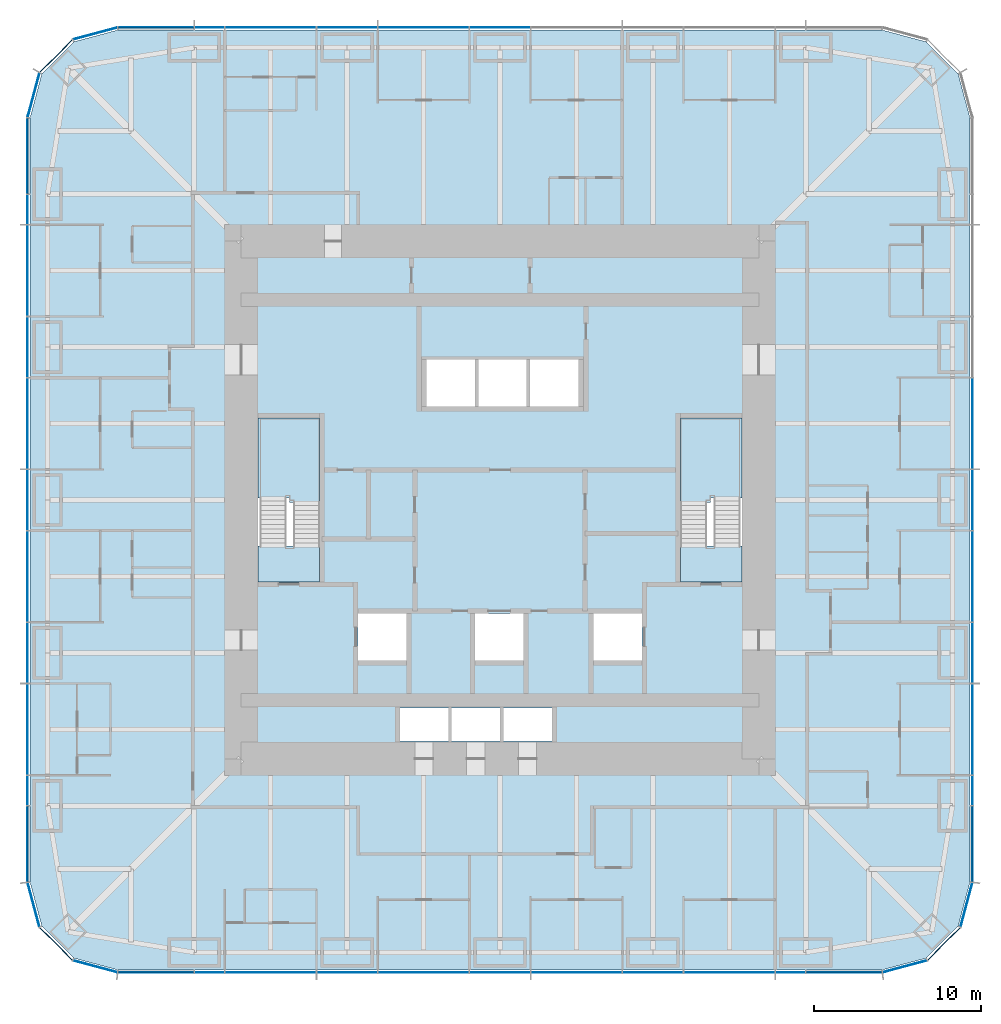
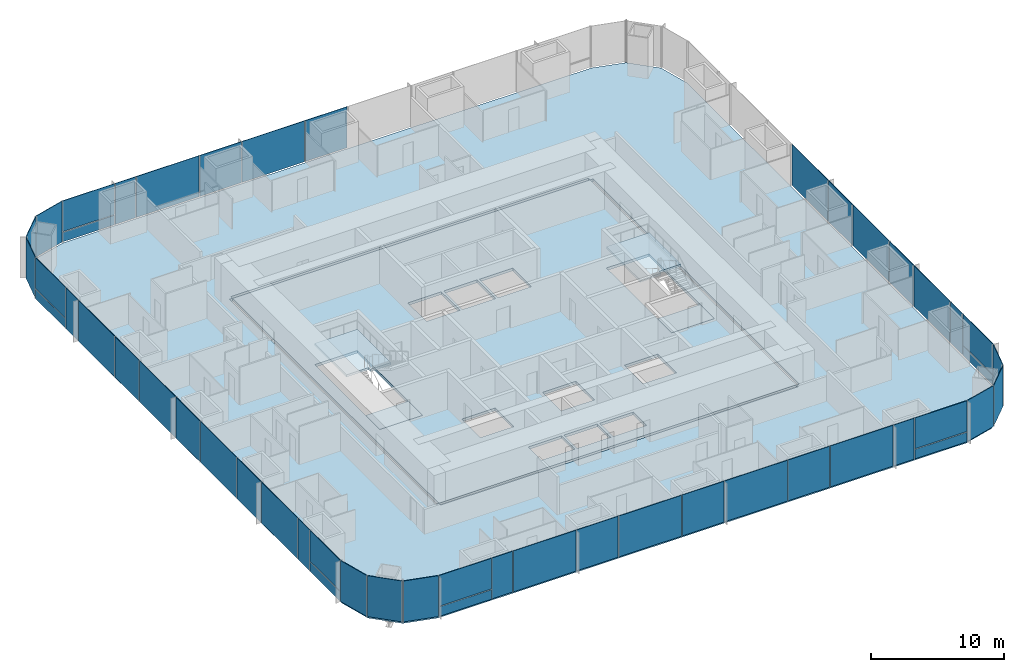
# One storey, part 6 of 12: 50 plates, 6 slabs, 9 elements without a shape of their own.
"""IFC4 building model written with IfcOpenShell, lengths in metres."""

from ifc_helpers import new_model, si_unit, direction, frame, origin, origin_2d, place, context, subcontext, project, spatial, polyline, rectangle, outline, extrude, material, layer, layer_set, type_object, element, aggregate, save


model = new_model("IFC4")

# Units and contexts
model_context = context("Model", 3, precision=1e-05, world=origin(), true_north=direction((0.0, 1.0)))
body_context = subcontext(model_context, "Body", "Model", "MODEL_VIEW")
ifc_project = project(units=[si_unit("LENGTHUNIT", "METRE"), si_unit("AREAUNIT", "SQUARE_METRE"), si_unit("VOLUMEUNIT", "CUBIC_METRE"), si_unit("PLANEANGLEUNIT", "RADIAN"), si_unit("MASSUNIT", "GRAM", prefix="KILO")], contexts=[model_context])

# Site, building, storey
site_placement = place(None, origin())
site = spatial("IfcSite", under=ifc_project, at=site_placement, CompositionType="ELEMENT")
building_placement = place(site_placement, origin())
building = spatial("IfcBuilding", under=site, at=building_placement, Name="Khuree Lantern Residences", CompositionType="ELEMENT")
storey_placement = place(building_placement, frame((0.0, 0.0, 178.5)))
storey = spatial("IfcBuildingStorey", under=building, at=storey_placement, Name="L45", CompositionType="ELEMENT", Elevation=178.5)

# Slab
ifc_material_1 = material(Name="Concrete C35/45", Category="concrete")
ifc_layer_1 = layer(ifc_material_1, 0.25)
ifc_layer_set_1 = layer_set([ifc_layer_1], Name="CFL250 CORE FLOOR SLAB 250")
slab_type_1 = type_object("IfcSlabType", Name="CFL250 CORE FLOOR SLAB 250", PredefinedType="FLOOR", material=ifc_layer_set_1)
slab_1_placement = place(storey_placement, frame((0.0, 0.0, -0.25)))
element("IfcSlab", 1, at=slab_1_placement, inside=storey, type_object=slab_type_1, Name="Core floor L45", PredefinedType="FLOOR", context=body_context, shape_type="SweptSolid", body=[
    extrude(outline(polyline([(-15.5, -15.5), (-15.5, 15.5), (15.5, 15.5), (15.5, -15.5), (-15.5, -15.5)]), holes=[polyline([(10.800048828125, 4.89990234375), (10.800048828125, -4.89990234375), (14.5, -4.89990234375), (14.5, 4.89990234375), (10.800048828125, 4.89990234375)]), polyline([(8.5, -6.800048828125), (5.60009765625, -6.800048828125), (5.60009765625, -9.60009765625), (8.5, -9.60009765625), (8.5, -6.800048828125)]), polyline([(4.699951171875, 8.39990234375), (1.800048828125, 8.39990234375), (1.800048828125, 5.60009765625), (4.699951171875, 5.60009765625), (4.699951171875, 8.39990234375)]), polyline([(3.10009765625, -12.449951171875), (0.199951171875, -12.449951171875), (0.199951171875, -14.449951171875), (3.10009765625, -14.449951171875), (3.10009765625, -12.449951171875)]), polyline([(1.60009765625, 8.39990234375), (-1.300048828125, 8.39990234375), (-1.300048828125, 5.60009765625), (1.60009765625, 5.60009765625), (1.60009765625, 8.39990234375)]), polyline([(1.39990234375, -6.800048828125), (-1.5, -6.800048828125), (-1.5, -9.60009765625), (1.39990234375, -9.60009765625), (1.39990234375, -6.800048828125)]), polyline([(-2.89990234375, -12.449951171875), (-2.89990234375, -14.449951171875), (0.0, -14.449951171875), (0.0, -12.449951171875), (-2.89990234375, -12.449951171875)]), polyline([(-4.39990234375, 8.39990234375), (-4.39990234375, 5.60009765625), (-1.5, 5.60009765625), (-1.5, 8.39990234375), (-4.39990234375, 8.39990234375)]), polyline([(-6.0, -12.449951171875), (-6.0, -14.449951171875), (-3.10009765625, -14.449951171875), (-3.10009765625, -12.449951171875), (-6.0, -12.449951171875)]), polyline([(-8.5, -6.800048828125), (-8.5, -9.60009765625), (-5.60009765625, -9.60009765625), (-5.60009765625, -6.800048828125), (-8.5, -6.800048828125)]), polyline([(-10.800048828125, 4.89990234375), (-14.5, 4.89990234375), (-14.5, -4.89990234375), (-10.800048828125, -4.89990234375), (-10.800048828125, 4.89990234375)])]), origin(), (0.0, 0.0, 1.0), 0.25),
])

# Curtain wall, plates
ifc_material_2 = material(Name="Bronze anodised aluminium", Category="aluminium")
curtain_wall_type_1 = type_object("IfcCurtainWallType", Name="CW-T2 TOWER CORNER CURTAIN WALL", PredefinedType="USERDEFINED", material=ifc_material_2)
curtain_wall_1_placement = place(storey_placement, origin())
curtain_wall_1 = element("IfcCurtainWall", 2, at=curtain_wall_1_placement, inside=storey, type_object=curtain_wall_type_1, Name="L45 SOUTH-EAST CORNER CURTAIN WALL", ObjectType="Faceted corner curtain wall", PredefinedType="USERDEFINED")
ifc_material_3 = material(Name="Bronze tinted triple glazing", Category="glass")
ifc_layer_2 = layer(ifc_material_3, 0.048095703125)
ifc_layer_set_2 = layer_set([ifc_layer_2], Name="FACET PANEL P4")
plate_type_1 = type_object("IfcPlateType", Name="FACET PANEL P4", PredefinedType="CURTAIN_PANEL", material=ifc_layer_set_2)
plate_1_placement = place(storey_placement, frame((24.248046875, -27.938720703125, 0.0), z_axis=(0.0, 0.0, 1.0), x_axis=(0.965925810153, 0.258819105321, 0.0)))
plate_1 = element("IfcPlate", 3, at=plate_1_placement, type_object=plate_type_1, Name="L45 SOUTH-EAST CORNER PANEL 1.1", PredefinedType="CURTAIN_PANEL", context=body_context, shape_type="SweptSolid", body=[
    extrude(rectangle(XDim=2.71923828125, YDim=0.048095703125, at=origin_2d()), origin(), (0.0, 0.0, 1.0), 3.75),
])
plate_2_placement = place(storey_placement, frame((26.58837890625, -26.58837890625, 0.0), z_axis=(0.0, 0.0, 1.0), x_axis=(0.707106781187, 0.707106781187, 0.0)))
plate_2 = element("IfcPlate", 4, at=plate_2_placement, type_object=plate_type_1, Name="L45 SOUTH-EAST CORNER PANEL 2.1", PredefinedType="CURTAIN_PANEL", context=body_context, shape_type="SweptSolid", body=[
    extrude(rectangle(XDim=2.715087890625, YDim=0.048095703125, at=origin_2d()), origin(), (0.0, 0.0, 1.0), 3.75),
])
plate_3_placement = place(storey_placement, frame((27.938720703125, -24.248046875, 0.0), z_axis=(0.0, 0.0, 1.0), x_axis=(0.258819105321, 0.965925810153, 0.0)))
plate_3 = element("IfcPlate", 5, at=plate_3_placement, type_object=plate_type_1, Name="L45 SOUTH-EAST CORNER PANEL 3.1", PredefinedType="CURTAIN_PANEL", context=body_context, shape_type="SweptSolid", body=[
    extrude(rectangle(XDim=2.71923828125, YDim=0.048095703125, at=origin_2d()), origin(), (0.0, 0.0, 1.0), 3.75),
])
aggregate(curtain_wall_1, [plate_1, plate_2, plate_3])

curtain_wall_2_placement = place(storey_placement, origin())
curtain_wall_2 = element("IfcCurtainWall", 6, at=curtain_wall_2_placement, inside=storey, type_object=curtain_wall_type_1, Name="L45 NORTH-WEST CORNER CURTAIN WALL", ObjectType="Faceted corner curtain wall", PredefinedType="USERDEFINED")
plate_4_placement = place(storey_placement, frame((-24.248046875, 27.938720703125, 0.0), z_axis=(0.0, 0.0, 1.0), x_axis=(-0.965925810153, -0.258819105321, 0.0)))
plate_4 = element("IfcPlate", 7, at=plate_4_placement, type_object=plate_type_1, Name="L45 NORTH-WEST CORNER PANEL 29.1", PredefinedType="CURTAIN_PANEL", context=body_context, shape_type="SweptSolid", body=[
    extrude(rectangle(XDim=2.71923828125, YDim=0.048095703125, at=origin_2d()), origin(), (0.0, 0.0, 1.0), 3.75),
])
plate_5_placement = place(storey_placement, frame((-26.58837890625, 26.58837890625, 0.0), z_axis=(0.0, 0.0, 1.0), x_axis=(-0.707106781187, -0.707106781187, 0.0)))
plate_5 = element("IfcPlate", 8, at=plate_5_placement, type_object=plate_type_1, Name="L45 NORTH-WEST CORNER PANEL 30.1", PredefinedType="CURTAIN_PANEL", context=body_context, shape_type="SweptSolid", body=[
    extrude(rectangle(XDim=2.715087890625, YDim=0.048095703125, at=origin_2d()), origin(), (0.0, 0.0, 1.0), 3.75),
])
plate_6_placement = place(storey_placement, frame((-27.938720703125, 24.248046875, 0.0), z_axis=(0.0, 0.0, 1.0), x_axis=(-0.258819105321, -0.965925810153, 0.0)))
plate_6 = element("IfcPlate", 9, at=plate_6_placement, type_object=plate_type_1, Name="L45 NORTH-WEST CORNER PANEL 31.1", PredefinedType="CURTAIN_PANEL", context=body_context, shape_type="SweptSolid", body=[
    extrude(rectangle(XDim=2.71923828125, YDim=0.048095703125, at=origin_2d()), origin(), (0.0, 0.0, 1.0), 3.75),
])
aggregate(curtain_wall_2, [plate_4, plate_5, plate_6])

curtain_wall_3_placement = place(storey_placement, origin())
curtain_wall_3 = element("IfcCurtainWall", 10, at=curtain_wall_3_placement, inside=storey, type_object=curtain_wall_type_1, Name="L45 SOUTH-WEST CORNER CURTAIN WALL", ObjectType="Faceted corner curtain wall", PredefinedType="USERDEFINED")
plate_7_placement = place(storey_placement, frame((-27.938720703125, -24.248046875, 0.0), z_axis=(0.0, 0.0, 1.0), x_axis=(0.258819105321, -0.965925810153, 0.0)))
plate_7 = element("IfcPlate", 11, at=plate_7_placement, type_object=plate_type_1, Name="L45 SOUTH-WEST CORNER PANEL 43.1", PredefinedType="CURTAIN_PANEL", context=body_context, shape_type="SweptSolid", body=[
    extrude(rectangle(XDim=2.71923828125, YDim=0.048095703125, at=origin_2d()), origin(), (0.0, 0.0, 1.0), 3.75),
])
plate_8_placement = place(storey_placement, frame((-26.58837890625, -26.58837890625, 0.0), z_axis=(0.0, 0.0, 1.0), x_axis=(0.707106781187, -0.707106781187, 0.0)))
plate_8 = element("IfcPlate", 12, at=plate_8_placement, type_object=plate_type_1, Name="L45 SOUTH-WEST CORNER PANEL 44.1", PredefinedType="CURTAIN_PANEL", context=body_context, shape_type="SweptSolid", body=[
    extrude(rectangle(XDim=2.715087890625, YDim=0.048095703125, at=origin_2d()), origin(), (0.0, 0.0, 1.0), 3.75),
])
plate_9_placement = place(storey_placement, frame((-24.248046875, -27.938720703125, 0.0), z_axis=(0.0, 0.0, 1.0), x_axis=(0.965925810153, -0.258819105321, 0.0)))
plate_9 = element("IfcPlate", 13, at=plate_9_placement, type_object=plate_type_1, Name="L45 SOUTH-WEST CORNER PANEL 45.1", PredefinedType="CURTAIN_PANEL", context=body_context, shape_type="SweptSolid", body=[
    extrude(rectangle(XDim=2.71923828125, YDim=0.048095703125, at=origin_2d()), origin(), (0.0, 0.0, 1.0), 3.75),
])
aggregate(curtain_wall_3, [plate_7, plate_8, plate_9])

curtain_wall_type_2 = type_object("IfcCurtainWallType", Name="CW-T1 TOWER FACE CURTAIN WALL", PredefinedType="USERDEFINED", material=ifc_material_2)
curtain_wall_4_placement = place(storey_placement, origin())
curtain_wall_4 = element("IfcCurtainWall", 14, at=curtain_wall_4_placement, inside=storey, type_object=curtain_wall_type_2, Name="L45 EAST FACE CURTAIN WALL", ObjectType="Stick-built curtain wall", PredefinedType="USERDEFINED")
ifc_material_4 = material(Name="Bronze tinted triple glazing with a ceramic-fritted spandrel band", Category="glass")
ifc_layer_3 = layer(ifc_material_4, 0.048095703125)
ifc_layer_set_3 = layer_set([ifc_layer_3], Name="FIXED LIGHT PANEL P11")
plate_type_2 = type_object("IfcPlateType", Name="FIXED LIGHT PANEL P11", PredefinedType="CURTAIN_PANEL", material=ifc_layer_set_3)
plate_10_placement = place(storey_placement, frame((28.300048828125, -13.739990234375, 0.0), z_axis=(0.0, 0.0, 1.0), x_axis=(0.0, 1.0, 0.0)))
plate_10 = element("IfcPlate", 15, at=plate_10_placement, type_object=plate_type_2, Name="L45 EAST FACE PANEL 6.1", PredefinedType="CURTAIN_PANEL", context=body_context, shape_type="SweptSolid", body=[
    extrude(rectangle(XDim=5.430908203125, YDim=0.048095703125, at=origin_2d()), origin(), (0.0, 0.0, 1.0), 3.75),
])
plate_11_placement = place(storey_placement, frame((28.300048828125, -4.580078125, 0.0), z_axis=(0.0, 0.0, 1.0), x_axis=(0.0, 1.0, 0.0)))
plate_11 = element("IfcPlate", 16, at=plate_11_placement, type_object=plate_type_2, Name="L45 EAST FACE PANEL 8.1", PredefinedType="CURTAIN_PANEL", context=body_context, shape_type="SweptSolid", body=[
    extrude(rectangle(XDim=5.430908203125, YDim=0.048095703125, at=origin_2d()), origin(), (0.0, 0.0, 1.0), 3.75),
])
plate_12_placement = place(storey_placement, frame((28.300048828125, 4.580078125, 0.0), z_axis=(0.0, 0.0, 1.0), x_axis=(0.0, 1.0, 0.0)))
plate_12 = element("IfcPlate", 17, at=plate_12_placement, type_object=plate_type_2, Name="L45 EAST FACE PANEL 10.1", PredefinedType="CURTAIN_PANEL", context=body_context, shape_type="SweptSolid", body=[
    extrude(rectangle(XDim=5.430908203125, YDim=0.048095703125, at=origin_2d()), origin(), (0.0, 0.0, 1.0), 3.75),
])

curtain_wall_5_placement = place(storey_placement, origin())
curtain_wall_5 = element("IfcCurtainWall", 18, at=curtain_wall_5_placement, inside=storey, type_object=curtain_wall_type_2, Name="L45 NORTH FACE CURTAIN WALL", ObjectType="Stick-built curtain wall", PredefinedType="USERDEFINED")
plate_13_placement = place(storey_placement, frame((-4.580078125, 28.300048828125, 0.0), z_axis=(0.0, 0.0, 1.0), x_axis=(-1.0, 0.0, 0.0)))
plate_13 = element("IfcPlate", 19, at=plate_13_placement, type_object=plate_type_2, Name="L45 NORTH FACE PANEL 24.1", PredefinedType="CURTAIN_PANEL", context=body_context, shape_type="SweptSolid", body=[
    extrude(rectangle(XDim=5.430908203125, YDim=0.048095703125, at=origin_2d()), origin(), (0.0, 0.0, 1.0), 3.75),
])
plate_14_placement = place(storey_placement, frame((-13.739990234375, 28.300048828125, 0.0), z_axis=(0.0, 0.0, 1.0), x_axis=(-1.0, 0.0, 0.0)))
plate_14 = element("IfcPlate", 20, at=plate_14_placement, type_object=plate_type_2, Name="L45 NORTH FACE PANEL 26.1", PredefinedType="CURTAIN_PANEL", context=body_context, shape_type="SweptSolid", body=[
    extrude(rectangle(XDim=5.430908203125, YDim=0.048095703125, at=origin_2d()), origin(), (0.0, 0.0, 1.0), 3.75),
])

curtain_wall_6_placement = place(storey_placement, origin())
curtain_wall_6 = element("IfcCurtainWall", 21, at=curtain_wall_6_placement, inside=storey, type_object=curtain_wall_type_2, Name="L45 WEST FACE CURTAIN WALL", ObjectType="Stick-built curtain wall", PredefinedType="USERDEFINED")
plate_15_placement = place(storey_placement, frame((-28.300048828125, 13.739990234375, 0.0), z_axis=(0.0, 0.0, 1.0), x_axis=(0.0, -1.0, 0.0)))
plate_15 = element("IfcPlate", 22, at=plate_15_placement, type_object=plate_type_2, Name="L45 WEST FACE PANEL 34.1", PredefinedType="CURTAIN_PANEL", context=body_context, shape_type="SweptSolid", body=[
    extrude(rectangle(XDim=5.430908203125, YDim=0.048095703125, at=origin_2d()), origin(), (0.0, 0.0, 1.0), 3.75),
])
plate_16_placement = place(storey_placement, frame((-28.300048828125, 4.580078125, 0.0), z_axis=(0.0, 0.0, 1.0), x_axis=(0.0, -1.0, 0.0)))
plate_16 = element("IfcPlate", 23, at=plate_16_placement, type_object=plate_type_2, Name="L45 WEST FACE PANEL 36.1", PredefinedType="CURTAIN_PANEL", context=body_context, shape_type="SweptSolid", body=[
    extrude(rectangle(XDim=5.430908203125, YDim=0.048095703125, at=origin_2d()), origin(), (0.0, 0.0, 1.0), 3.75),
])
plate_17_placement = place(storey_placement, frame((-28.300048828125, -4.580078125, 0.0), z_axis=(0.0, 0.0, 1.0), x_axis=(0.0, -1.0, 0.0)))
plate_17 = element("IfcPlate", 24, at=plate_17_placement, type_object=plate_type_2, Name="L45 WEST FACE PANEL 38.1", PredefinedType="CURTAIN_PANEL", context=body_context, shape_type="SweptSolid", body=[
    extrude(rectangle(XDim=5.430908203125, YDim=0.048095703125, at=origin_2d()), origin(), (0.0, 0.0, 1.0), 3.75),
])
plate_18_placement = place(storey_placement, frame((-28.300048828125, -13.739990234375, 0.0), z_axis=(0.0, 0.0, 1.0), x_axis=(0.0, -1.0, 0.0)))
plate_18 = element("IfcPlate", 25, at=plate_18_placement, type_object=plate_type_2, Name="L45 WEST FACE PANEL 40.1", PredefinedType="CURTAIN_PANEL", context=body_context, shape_type="SweptSolid", body=[
    extrude(rectangle(XDim=5.430908203125, YDim=0.048095703125, at=origin_2d()), origin(), (0.0, 0.0, 1.0), 3.75),
])

curtain_wall_7_placement = place(storey_placement, origin())
curtain_wall_7 = element("IfcCurtainWall", 26, at=curtain_wall_7_placement, inside=storey, type_object=curtain_wall_type_2, Name="L45 SOUTH FACE CURTAIN WALL", ObjectType="Stick-built curtain wall", PredefinedType="USERDEFINED")
plate_19_placement = place(storey_placement, frame((-13.739990234375, -28.300048828125, 0.0), z_axis=(0.0, 0.0, 1.0), x_axis=(1.0, 0.0, 0.0)))
plate_19 = element("IfcPlate", 27, at=plate_19_placement, type_object=plate_type_2, Name="L45 SOUTH FACE PANEL 48.1", PredefinedType="CURTAIN_PANEL", context=body_context, shape_type="SweptSolid", body=[
    extrude(rectangle(XDim=5.430908203125, YDim=0.048095703125, at=origin_2d()), origin(), (0.0, 0.0, 1.0), 3.75),
])
plate_20_placement = place(storey_placement, frame((-4.580078125, -28.300048828125, 0.0), z_axis=(0.0, 0.0, 1.0), x_axis=(1.0, 0.0, 0.0)))
plate_20 = element("IfcPlate", 28, at=plate_20_placement, type_object=plate_type_2, Name="L45 SOUTH FACE PANEL 50.1", PredefinedType="CURTAIN_PANEL", context=body_context, shape_type="SweptSolid", body=[
    extrude(rectangle(XDim=5.430908203125, YDim=0.048095703125, at=origin_2d()), origin(), (0.0, 0.0, 1.0), 3.75),
])
plate_21_placement = place(storey_placement, frame((4.580078125, -28.300048828125, 0.0), z_axis=(0.0, 0.0, 1.0), x_axis=(1.0, 0.0, 0.0)))
plate_21 = element("IfcPlate", 29, at=plate_21_placement, type_object=plate_type_2, Name="L45 SOUTH FACE PANEL 52.1", PredefinedType="CURTAIN_PANEL", context=body_context, shape_type="SweptSolid", body=[
    extrude(rectangle(XDim=5.430908203125, YDim=0.048095703125, at=origin_2d()), origin(), (0.0, 0.0, 1.0), 3.75),
])
plate_22_placement = place(storey_placement, frame((13.739990234375, -28.300048828125, 0.0), z_axis=(0.0, 0.0, 1.0), x_axis=(1.0, 0.0, 0.0)))
plate_22 = element("IfcPlate", 30, at=plate_22_placement, type_object=plate_type_2, Name="L45 SOUTH FACE PANEL 54.1", PredefinedType="CURTAIN_PANEL", context=body_context, shape_type="SweptSolid", body=[
    extrude(rectangle(XDim=5.430908203125, YDim=0.048095703125, at=origin_2d()), origin(), (0.0, 0.0, 1.0), 3.75),
])

# Slab
ifc_layer_4 = layer(ifc_material_1, 0.25)
ifc_layer_set_4 = layer_set([ifc_layer_4], Name="FS250 FLOOR SLAB 250")
slab_type_2 = type_object("IfcSlabType", Name="FS250 FLOOR SLAB 250", PredefinedType="FLOOR", material=ifc_layer_set_4)
slab_2_placement = place(storey_placement, frame((0.0, 0.0, -0.25)))
element("IfcSlab", 31, at=slab_2_placement, inside=storey, type_object=slab_type_2, Name="Floor slab L45", PredefinedType="FLOOR", context=body_context, shape_type="SweptSolid", body=[
    extrude(outline(polyline([(-25.52490234375, -27.446533203125), (-27.446533203125, -25.52490234375), (-28.14990234375, -22.89990234375), (-28.14990234375, 22.89990234375), (-27.446533203125, 25.52490234375), (-25.52490234375, 27.446533203125), (-22.89990234375, 28.14990234375), (22.89990234375, 28.14990234375), (25.52490234375, 27.446533203125), (27.446533203125, 25.52490234375), (28.14990234375, 22.89990234375), (28.14990234375, -22.89990234375), (27.446533203125, -25.52490234375), (25.52490234375, -27.446533203125), (22.89990234375, -28.14990234375), (-22.89990234375, -28.14990234375), (-25.52490234375, -27.446533203125)]), holes=[polyline([(15.75, 15.5), (15.5, 15.5), (15.5, 15.75), (-15.5, 15.75), (-15.5, 15.5), (-15.75, 15.5), (-15.75, -15.5), (-15.5, -15.5), (-15.5, -15.75), (15.5, -15.75), (15.5, -15.5), (15.75, -15.5), (15.75, 15.5)])]), origin(), (0.0, 0.0, 1.0), 0.25),
])

# Plate
ifc_material_5 = material(Name="Bronze tinted triple glazing, two aluminium-framed sashes in one frame", Category="aluminium")
ifc_layer_5 = layer(ifc_material_5, 0.048095703125)
ifc_layer_set_5 = layer_set([ifc_layer_5], Name="SASH PAIR PANEL P12")
plate_type_3 = type_object("IfcPlateType", Name="SASH PAIR PANEL P12", PredefinedType="CURTAIN_PANEL", material=ifc_layer_set_5)
plate_23_placement = place(storey_placement, frame((28.300048828125, -9.159912109375, 0.0), z_axis=(0.0, 0.0, 1.0), x_axis=(0.0, 1.0, 0.0)))
plate_23 = element("IfcPlate", 32, at=plate_23_placement, type_object=plate_type_3, Name="L45 EAST FACE PANEL 7.1", PredefinedType="CURTAIN_PANEL", context=body_context, shape_type="SweptSolid", body=[
    extrude(rectangle(XDim=3.59912109375, YDim=0.048095703125, at=origin_2d()), origin(), (0.0, 0.0, 1.0), 3.75),
])

plate_24_placement = place(storey_placement, frame((28.300048828125, 0.0, 0.0), z_axis=(0.0, 0.0, 1.0), x_axis=(0.0, 1.0, 0.0)))
plate_24 = element("IfcPlate", 33, at=plate_24_placement, type_object=plate_type_3, Name="L45 EAST FACE PANEL 9.1", PredefinedType="CURTAIN_PANEL", context=body_context, shape_type="SweptSolid", body=[
    extrude(rectangle(XDim=3.59912109375, YDim=0.048095703125, at=origin_2d()), origin(), (0.0, 0.0, 1.0), 3.75),
])

plate_25_placement = place(storey_placement, frame((0.0, 28.300048828125, 0.0), z_axis=(0.0, 0.0, 1.0), x_axis=(-1.0, 0.0, 0.0)))
plate_25 = element("IfcPlate", 34, at=plate_25_placement, type_object=plate_type_3, Name="L45 NORTH FACE PANEL 23.1", PredefinedType="CURTAIN_PANEL", context=body_context, shape_type="SweptSolid", body=[
    extrude(rectangle(XDim=3.59912109375, YDim=0.048095703125, at=origin_2d()), origin(), (0.0, 0.0, 1.0), 3.75),
])

plate_26_placement = place(storey_placement, frame((-9.159912109375, 28.300048828125, 0.0), z_axis=(0.0, 0.0, 1.0), x_axis=(-1.0, 0.0, 0.0)))
plate_26 = element("IfcPlate", 35, at=plate_26_placement, type_object=plate_type_3, Name="L45 NORTH FACE PANEL 25.1", PredefinedType="CURTAIN_PANEL", context=body_context, shape_type="SweptSolid", body=[
    extrude(rectangle(XDim=3.59912109375, YDim=0.048095703125, at=origin_2d()), origin(), (0.0, 0.0, 1.0), 3.75),
])

plate_27_placement = place(storey_placement, frame((-28.300048828125, 9.159912109375, 0.0), z_axis=(0.0, 0.0, 1.0), x_axis=(0.0, -1.0, 0.0)))
plate_27 = element("IfcPlate", 36, at=plate_27_placement, type_object=plate_type_3, Name="L45 WEST FACE PANEL 35.1", PredefinedType="CURTAIN_PANEL", context=body_context, shape_type="SweptSolid", body=[
    extrude(rectangle(XDim=3.59912109375, YDim=0.048095703125, at=origin_2d()), origin(), (0.0, 0.0, 1.0), 3.75),
])

plate_28_placement = place(storey_placement, frame((-28.300048828125, 0.0, 0.0), z_axis=(0.0, 0.0, 1.0), x_axis=(0.0, -1.0, 0.0)))
plate_28 = element("IfcPlate", 37, at=plate_28_placement, type_object=plate_type_3, Name="L45 WEST FACE PANEL 37.1", PredefinedType="CURTAIN_PANEL", context=body_context, shape_type="SweptSolid", body=[
    extrude(rectangle(XDim=3.59912109375, YDim=0.048095703125, at=origin_2d()), origin(), (0.0, 0.0, 1.0), 3.75),
])

plate_29_placement = place(storey_placement, frame((-28.300048828125, -9.159912109375, 0.0), z_axis=(0.0, 0.0, 1.0), x_axis=(0.0, -1.0, 0.0)))
plate_29 = element("IfcPlate", 38, at=plate_29_placement, type_object=plate_type_3, Name="L45 WEST FACE PANEL 39.1", PredefinedType="CURTAIN_PANEL", context=body_context, shape_type="SweptSolid", body=[
    extrude(rectangle(XDim=3.59912109375, YDim=0.048095703125, at=origin_2d()), origin(), (0.0, 0.0, 1.0), 3.75),
])

plate_30_placement = place(storey_placement, frame((-9.159912109375, -28.300048828125, 0.0), z_axis=(0.0, 0.0, 1.0), x_axis=(1.0, 0.0, 0.0)))
plate_30 = element("IfcPlate", 39, at=plate_30_placement, type_object=plate_type_3, Name="L45 SOUTH FACE PANEL 49.1", PredefinedType="CURTAIN_PANEL", context=body_context, shape_type="SweptSolid", body=[
    extrude(rectangle(XDim=3.59912109375, YDim=0.048095703125, at=origin_2d()), origin(), (0.0, 0.0, 1.0), 3.75),
])

plate_31_placement = place(storey_placement, frame((0.0, -28.300048828125, 0.0), z_axis=(0.0, 0.0, 1.0), x_axis=(1.0, 0.0, 0.0)))
plate_31 = element("IfcPlate", 40, at=plate_31_placement, type_object=plate_type_3, Name="L45 SOUTH FACE PANEL 51.1", PredefinedType="CURTAIN_PANEL", context=body_context, shape_type="SweptSolid", body=[
    extrude(rectangle(XDim=3.59912109375, YDim=0.048095703125, at=origin_2d()), origin(), (0.0, 0.0, 1.0), 3.75),
])

plate_32_placement = place(storey_placement, frame((9.159912109375, -28.300048828125, 0.0), z_axis=(0.0, 0.0, 1.0), x_axis=(1.0, 0.0, 0.0)))
plate_32 = element("IfcPlate", 41, at=plate_32_placement, type_object=plate_type_3, Name="L45 SOUTH FACE PANEL 53.1", PredefinedType="CURTAIN_PANEL", context=body_context, shape_type="SweptSolid", body=[
    extrude(rectangle(XDim=3.59912109375, YDim=0.048095703125, at=origin_2d()), origin(), (0.0, 0.0, 1.0), 3.75),
])

ifc_material_6 = material(Name="Bronze tinted triple glazing, aluminium-framed sash", Category="aluminium")
ifc_layer_6 = layer(ifc_material_6, 0.048095703125)
ifc_layer_set_6 = layer_set([ifc_layer_6], Name="SASH PANEL P3")
plate_type_4 = type_object("IfcPlateType", Name="SASH PANEL P3", PredefinedType="CURTAIN_PANEL", material=ifc_layer_set_6)
plate_33_placement = place(storey_placement, frame((28.300048828125, -17.404052734375, 0.0), z_axis=(0.0, 0.0, 1.0), x_axis=(0.0, 1.0, 0.0)))
plate_33 = element("IfcPlate", 42, at=plate_33_placement, type_object=plate_type_4, Name="L45 EAST FACE PANEL 5.1", PredefinedType="CURTAIN_PANEL", context=body_context, shape_type="SweptSolid", body=[
    extrude(rectangle(XDim=1.76708984375, YDim=0.048095703125, at=origin_2d()), origin(), (0.0, 0.0, 1.0), 3.75),
])

plate_34_placement = place(storey_placement, frame((-17.404052734375, 28.300048828125, 0.0), z_axis=(0.0, 0.0, 1.0), x_axis=(-1.0, 0.0, 0.0)))
plate_34 = element("IfcPlate", 43, at=plate_34_placement, type_object=plate_type_4, Name="L45 NORTH FACE PANEL 27.1", PredefinedType="CURTAIN_PANEL", context=body_context, shape_type="SweptSolid", body=[
    extrude(rectangle(XDim=1.76708984375, YDim=0.048095703125, at=origin_2d()), origin(), (0.0, 0.0, 1.0), 3.75),
])

plate_35_placement = place(storey_placement, frame((-28.300048828125, 17.404052734375, 0.0), z_axis=(0.0, 0.0, 1.0), x_axis=(0.0, -1.0, 0.0)))
plate_35 = element("IfcPlate", 44, at=plate_35_placement, type_object=plate_type_4, Name="L45 WEST FACE PANEL 33.1", PredefinedType="CURTAIN_PANEL", context=body_context, shape_type="SweptSolid", body=[
    extrude(rectangle(XDim=1.76708984375, YDim=0.048095703125, at=origin_2d()), origin(), (0.0, 0.0, 1.0), 3.75),
])

plate_36_placement = place(storey_placement, frame((-28.300048828125, -17.404052734375, 0.0), z_axis=(0.0, 0.0, 1.0), x_axis=(0.0, -1.0, 0.0)))
plate_36 = element("IfcPlate", 45, at=plate_36_placement, type_object=plate_type_4, Name="L45 WEST FACE PANEL 41.1", PredefinedType="CURTAIN_PANEL", context=body_context, shape_type="SweptSolid", body=[
    extrude(rectangle(XDim=1.76708984375, YDim=0.048095703125, at=origin_2d()), origin(), (0.0, 0.0, 1.0), 3.75),
])

plate_37_placement = place(storey_placement, frame((-17.404052734375, -28.300048828125, 0.0), z_axis=(0.0, 0.0, 1.0), x_axis=(1.0, 0.0, 0.0)))
plate_37 = element("IfcPlate", 46, at=plate_37_placement, type_object=plate_type_4, Name="L45 SOUTH FACE PANEL 47.1", PredefinedType="CURTAIN_PANEL", context=body_context, shape_type="SweptSolid", body=[
    extrude(rectangle(XDim=1.76708984375, YDim=0.048095703125, at=origin_2d()), origin(), (0.0, 0.0, 1.0), 3.75),
])

plate_38_placement = place(storey_placement, frame((17.404052734375, -28.300048828125, 0.0), z_axis=(0.0, 0.0, 1.0), x_axis=(1.0, 0.0, 0.0)))
plate_38 = element("IfcPlate", 47, at=plate_38_placement, type_object=plate_type_4, Name="L45 SOUTH FACE PANEL 55.1", PredefinedType="CURTAIN_PANEL", context=body_context, shape_type="SweptSolid", body=[
    extrude(rectangle(XDim=1.76708984375, YDim=0.048095703125, at=origin_2d()), origin(), (0.0, 0.0, 1.0), 3.75),
])

ifc_material_7 = material(Name="Bronze anodised aluminium insulated spandrel", Category="aluminium")
ifc_layer_7 = layer(ifc_material_7, 0.06005859375)
ifc_layer_set_7 = layer_set([ifc_layer_7], Name="SPANDREL PANEL P2")
plate_type_5 = type_object("IfcPlateType", Name="SPANDREL PANEL P2", PredefinedType="CURTAIN_PANEL", material=ifc_layer_set_7)
plate_39_placement = place(storey_placement, frame((28.300048828125, -20.60791015625, 0.0), z_axis=(0.0, 0.0, 1.0), x_axis=(0.0, 1.0, 0.0)))
plate_39 = element("IfcPlate", 48, at=plate_39_placement, type_object=plate_type_5, Name="L45 EAST FACE PANEL 4.1", PredefinedType="CURTAIN_PANEL", context=body_context, shape_type="SweptSolid", body=[
    extrude(rectangle(XDim=4.5107421875, YDim=0.06005859375, at=origin_2d()), origin(), (0.0, 0.0, 1.0), 0.867431640625),
])

plate_40_placement = place(storey_placement, frame((-20.60791015625, 28.300048828125, 0.0), z_axis=(0.0, 0.0, 1.0), x_axis=(-1.0, 0.0, 0.0)))
plate_40 = element("IfcPlate", 49, at=plate_40_placement, type_object=plate_type_5, Name="L45 NORTH FACE PANEL 28.1", PredefinedType="CURTAIN_PANEL", context=body_context, shape_type="SweptSolid", body=[
    extrude(rectangle(XDim=4.5107421875, YDim=0.06005859375, at=origin_2d()), origin(), (0.0, 0.0, 1.0), 0.867431640625),
])

plate_41_placement = place(storey_placement, frame((-28.300048828125, 20.60791015625, 0.0), z_axis=(0.0, 0.0, 1.0), x_axis=(0.0, -1.0, 0.0)))
plate_41 = element("IfcPlate", 50, at=plate_41_placement, type_object=plate_type_5, Name="L45 WEST FACE PANEL 32.1", PredefinedType="CURTAIN_PANEL", context=body_context, shape_type="SweptSolid", body=[
    extrude(rectangle(XDim=4.5107421875, YDim=0.06005859375, at=origin_2d()), origin(), (0.0, 0.0, 1.0), 0.867431640625),
])

plate_42_placement = place(storey_placement, frame((-28.300048828125, -20.60791015625, 0.0), z_axis=(0.0, 0.0, 1.0), x_axis=(0.0, -1.0, 0.0)))
plate_42 = element("IfcPlate", 51, at=plate_42_placement, type_object=plate_type_5, Name="L45 WEST FACE PANEL 42.1", PredefinedType="CURTAIN_PANEL", context=body_context, shape_type="SweptSolid", body=[
    extrude(rectangle(XDim=4.5107421875, YDim=0.06005859375, at=origin_2d()), origin(), (0.0, 0.0, 1.0), 0.867431640625),
])

plate_43_placement = place(storey_placement, frame((-20.60791015625, -28.300048828125, 0.0), z_axis=(0.0, 0.0, 1.0), x_axis=(1.0, 0.0, 0.0)))
plate_43 = element("IfcPlate", 52, at=plate_43_placement, type_object=plate_type_5, Name="L45 SOUTH FACE PANEL 46.1", PredefinedType="CURTAIN_PANEL", context=body_context, shape_type="SweptSolid", body=[
    extrude(rectangle(XDim=4.5107421875, YDim=0.06005859375, at=origin_2d()), origin(), (0.0, 0.0, 1.0), 0.867431640625),
])

plate_44_placement = place(storey_placement, frame((20.60791015625, -28.300048828125, 0.0), z_axis=(0.0, 0.0, 1.0), x_axis=(1.0, 0.0, 0.0)))
plate_44 = element("IfcPlate", 53, at=plate_44_placement, type_object=plate_type_5, Name="L45 SOUTH FACE PANEL 56.1", PredefinedType="CURTAIN_PANEL", context=body_context, shape_type="SweptSolid", body=[
    extrude(rectangle(XDim=4.5107421875, YDim=0.06005859375, at=origin_2d()), origin(), (0.0, 0.0, 1.0), 0.867431640625),
])

# Stair, slabs
ifc_material_8 = material(Name="Concrete C40/50", Category="concrete")
stair_type = type_object("IfcStairType", Name="STAIR ST1 HALF TURN 3600", PredefinedType="HALF_TURN_STAIR", material=ifc_material_8)
stair_1_placement = place(storey_placement, origin())
stair_1 = element("IfcStair", 54, at=stair_1_placement, inside=storey, type_object=stair_type, Name="Stair ST1", PredefinedType="HALF_TURN_STAIR")
ifc_layer_8 = layer(ifc_material_8, 0.199951171875)
ifc_layer_set_8 = layer_set([ifc_layer_8], Name="STAIR LANDING SL1 200")
slab_type_3 = type_object("IfcSlabType", Name="STAIR LANDING SL1 200", PredefinedType="LANDING", material=ifc_layer_set_8)
slab_3_placement = place(storey_placement, frame((0.0, 0.0, -0.199951171875)))
slab_3 = element("IfcSlab", 55, at=slab_3_placement, type_object=slab_type_3, Name="ST1 landing 1", PredefinedType="LANDING", context=body_context, shape_type="SweptSolid", body=[
    extrude(outline(polyline([(-14.5, -4.89990234375), (-10.800048828125, -4.89990234375), (-10.800048828125, -2.760009765625), (-14.5, -2.760009765625), (-14.5, -4.89990234375)])), origin(), (0.0, 0.0, 1.0), 0.199951171875),
])
slab_4_placement = place(storey_placement, frame((0.0, 0.0, 1.756591796875)))
slab_4 = element("IfcSlab", 56, at=slab_4_placement, type_object=slab_type_3, Name="ST1 landing 2", PredefinedType="LANDING", context=body_context, shape_type="SweptSolid", body=[
    extrude(outline(polyline([(-14.5, 0.1201171875), (-14.5, 4.89990234375), (-10.800048828125, 4.89990234375), (-10.800048828125, -0.159912109375), (-12.60009765625, -0.159912109375), (-12.60009765625, 0.1201171875), (-14.5, 0.1201171875)])), origin(), (0.0, 0.0, 1.0), 0.199951171875),
])
aggregate(stair_1, [slab_3, slab_4])

stair_2_placement = place(storey_placement, origin())
stair_2 = element("IfcStair", 57, at=stair_2_placement, inside=storey, type_object=stair_type, Name="Stair ST2", PredefinedType="HALF_TURN_STAIR")
slab_5_placement = place(storey_placement, frame((0.0, 0.0, -0.199951171875)))
slab_5 = element("IfcSlab", 58, at=slab_5_placement, type_object=slab_type_3, Name="ST2 landing 1", PredefinedType="LANDING", context=body_context, shape_type="SweptSolid", body=[
    extrude(outline(polyline([(10.800048828125, -4.89990234375), (14.5, -4.89990234375), (14.5, -2.760009765625), (10.800048828125, -2.760009765625), (10.800048828125, -4.89990234375)])), origin(), (0.0, 0.0, 1.0), 0.199951171875),
])
slab_6_placement = place(storey_placement, frame((0.0, 0.0, 1.756591796875)))
slab_6 = element("IfcSlab", 59, at=slab_6_placement, type_object=slab_type_3, Name="ST2 landing 2", PredefinedType="LANDING", context=body_context, shape_type="SweptSolid", body=[
    extrude(outline(polyline([(14.5, 4.89990234375), (14.5, 0.1201171875), (12.60009765625, 0.1201171875), (12.60009765625, -0.159912109375), (10.800048828125, -0.159912109375), (10.800048828125, 4.89990234375), (14.5, 4.89990234375)])), origin(), (0.0, 0.0, 1.0), 0.199951171875),
])
aggregate(stair_2, [slab_5, slab_6])

# Plate
ifc_layer_9 = layer(ifc_material_3, 0.048095703125)
ifc_layer_set_9 = layer_set([ifc_layer_9], Name="VISION PANEL P1")
plate_type_6 = type_object("IfcPlateType", Name="VISION PANEL P1", PredefinedType="CURTAIN_PANEL", material=ifc_layer_set_9)
plate_45_placement = place(storey_placement, frame((28.300048828125, -20.6083984375, 0.9326171875), z_axis=(0.0, 0.0, 1.0), x_axis=(0.0, 1.0, 0.0)))
plate_45 = element("IfcPlate", 60, at=plate_45_placement, type_object=plate_type_6, Name="L45 EAST FACE PANEL 4.2", PredefinedType="CURTAIN_PANEL", context=body_context, shape_type="SweptSolid", body=[
    extrude(rectangle(XDim=4.511474609375, YDim=0.048095703125, at=origin_2d()), origin(), (0.0, 0.0, 1.0), 2.8173828125),
])

aggregate(curtain_wall_4, [plate_39, plate_45, plate_33, plate_10, plate_23, plate_11, plate_24, plate_12])

plate_46_placement = place(storey_placement, frame((-20.6083984375, 28.300048828125, 0.9326171875), z_axis=(0.0, 0.0, 1.0), x_axis=(-1.0, 0.0, 0.0)))
plate_46 = element("IfcPlate", 61, at=plate_46_placement, type_object=plate_type_6, Name="L45 NORTH FACE PANEL 28.2", PredefinedType="CURTAIN_PANEL", context=body_context, shape_type="SweptSolid", body=[
    extrude(rectangle(XDim=4.511474609375, YDim=0.048095703125, at=origin_2d()), origin(), (0.0, 0.0, 1.0), 2.8173828125),
])

aggregate(curtain_wall_5, [plate_25, plate_13, plate_26, plate_14, plate_34, plate_40, plate_46])

plate_47_placement = place(storey_placement, frame((-28.300048828125, 20.6083984375, 0.9326171875), z_axis=(0.0, 0.0, 1.0), x_axis=(0.0, -1.0, 0.0)))
plate_47 = element("IfcPlate", 62, at=plate_47_placement, type_object=plate_type_6, Name="L45 WEST FACE PANEL 32.2", PredefinedType="CURTAIN_PANEL", context=body_context, shape_type="SweptSolid", body=[
    extrude(rectangle(XDim=4.511474609375, YDim=0.048095703125, at=origin_2d()), origin(), (0.0, 0.0, 1.0), 2.8173828125),
])

plate_48_placement = place(storey_placement, frame((-28.300048828125, -20.6083984375, 0.9326171875), z_axis=(0.0, 0.0, 1.0), x_axis=(0.0, -1.0, 0.0)))
plate_48 = element("IfcPlate", 63, at=plate_48_placement, type_object=plate_type_6, Name="L45 WEST FACE PANEL 42.2", PredefinedType="CURTAIN_PANEL", context=body_context, shape_type="SweptSolid", body=[
    extrude(rectangle(XDim=4.511474609375, YDim=0.048095703125, at=origin_2d()), origin(), (0.0, 0.0, 1.0), 2.8173828125),
])

aggregate(curtain_wall_6, [plate_41, plate_47, plate_35, plate_15, plate_27, plate_16, plate_28, plate_17, plate_29, plate_18, plate_36, plate_42, plate_48])

plate_49_placement = place(storey_placement, frame((-20.6083984375, -28.300048828125, 0.9326171875), z_axis=(0.0, 0.0, 1.0), x_axis=(1.0, 0.0, 0.0)))
plate_49 = element("IfcPlate", 64, at=plate_49_placement, type_object=plate_type_6, Name="L45 SOUTH FACE PANEL 46.2", PredefinedType="CURTAIN_PANEL", context=body_context, shape_type="SweptSolid", body=[
    extrude(rectangle(XDim=4.511474609375, YDim=0.048095703125, at=origin_2d()), origin(), (0.0, 0.0, 1.0), 2.8173828125),
])

plate_50_placement = place(storey_placement, frame((20.6083984375, -28.300048828125, 0.9326171875), z_axis=(0.0, 0.0, 1.0), x_axis=(1.0, 0.0, 0.0)))
plate_50 = element("IfcPlate", 65, at=plate_50_placement, type_object=plate_type_6, Name="L45 SOUTH FACE PANEL 56.2", PredefinedType="CURTAIN_PANEL", context=body_context, shape_type="SweptSolid", body=[
    extrude(rectangle(XDim=4.511474609375, YDim=0.048095703125, at=origin_2d()), origin(), (0.0, 0.0, 1.0), 2.8173828125),
])

aggregate(curtain_wall_7, [plate_43, plate_49, plate_37, plate_19, plate_30, plate_20, plate_31, plate_21, plate_32, plate_22, plate_38, plate_44, plate_50])

save(model, "model.ifc")
